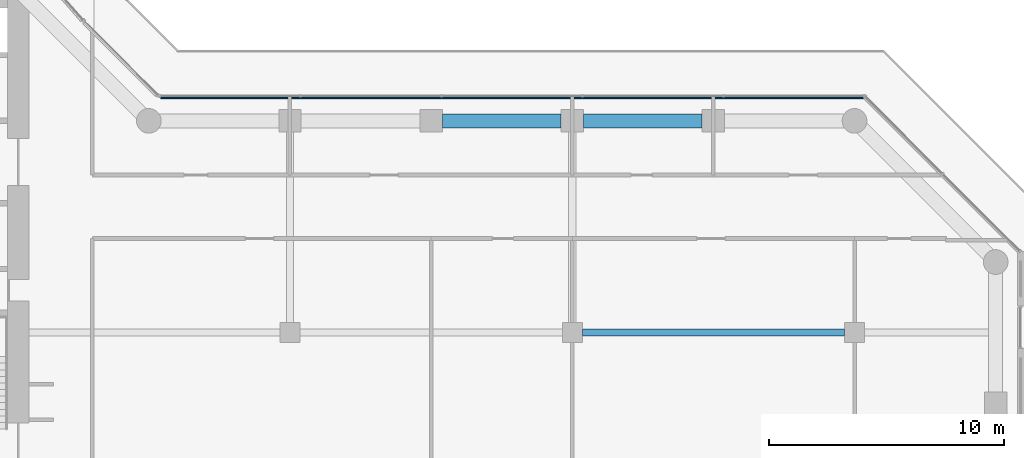
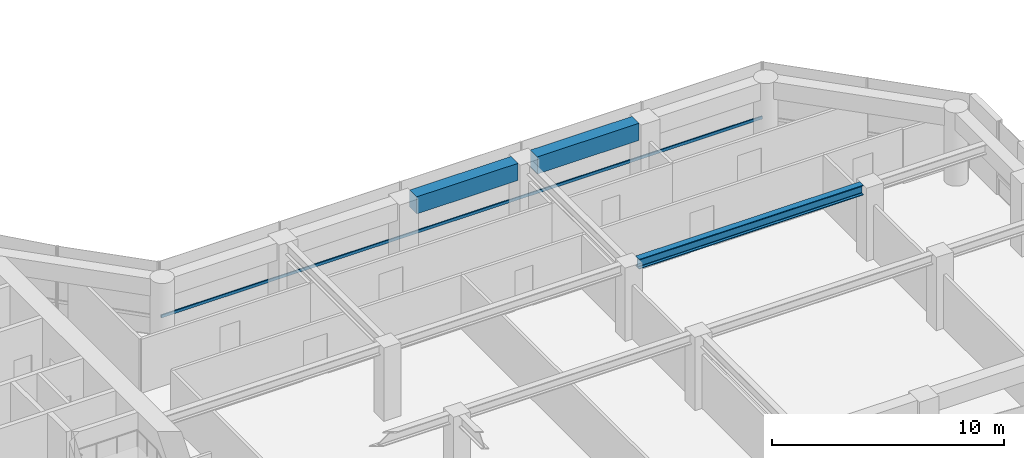
# One storey, part 10 of 27: 3 beams, 1 member, 1 element without a shape of its own.
"""IFC4 building model written with IfcOpenShell, lengths in metres."""

from ifc_helpers import new_model, si_unit, direction, frame, origin, origin_2d, place, context, subcontext, project, spatial, rectangle, i_section, extrude, material, layer, layer_set, material_profile, profile_set, type_object, element, aggregate, save


model = new_model("IFC4")

# Units and contexts
model_context = context("Model", 3, precision=1e-05, world=origin(), true_north=direction((0.0, 1.0)))
body_context = subcontext(model_context, "Body", "Model", "MODEL_VIEW")
ifc_project = project(units=[si_unit("LENGTHUNIT", "METRE"), si_unit("AREAUNIT", "SQUARE_METRE"), si_unit("VOLUMEUNIT", "CUBIC_METRE"), si_unit("PLANEANGLEUNIT", "RADIAN"), si_unit("MASSUNIT", "GRAM", prefix="KILO")], contexts=[model_context])

# Site, building, storey
site_placement = place(None, origin())
site = spatial("IfcSite", under=ifc_project, at=site_placement, CompositionType="ELEMENT")
building_placement = place(site_placement, origin())
building = spatial("IfcBuilding", under=site, at=building_placement, Name="Welwitschia Terrace Campus", CompositionType="ELEMENT")
storey_placement = place(building_placement, frame((0.0, 0.0, 37.39990234375)))
storey = spatial("IfcBuildingStorey", under=building, at=storey_placement, Name="L08", CompositionType="ELEMENT", Elevation=37.39990234375)

# Beams
ifc_material_1 = material(Name="Steel S355", Category="steel")
ifc_material_profile_1 = material_profile(ifc_material_1, i_section(OverallWidth=0.305908203125, OverallDepth=0.52392578125, WebThickness=0.02099609375, FlangeThickness=0.0400390625, FilletRadius=0.027099609375, at=origin_2d()))
ifc_profile_set_1 = profile_set([ifc_material_profile_1], Name="Steel S355")
beam_type_1 = type_object("IfcBeamType", Name="Interior girder HE 500 M", PredefinedType="BEAM", material=ifc_profile_set_1)
beam_placement = place(storey_placement, frame((48.425537109375, 11.0, 3.588134765625), z_axis=(1.0, 0.0, 0.0), x_axis=(0.0, 1.0, 0.0)))
element("IfcBeam", 1, at=beam_placement, inside=storey, type_object=beam_type_1, Name="Girder GB2", PredefinedType="BEAM", context=body_context, shape_type="SweptSolid", body=[
    extrude(i_section(OverallWidth=0.305908203125, OverallDepth=0.52392578125, WebThickness=0.02099609375, FlangeThickness=0.0400390625, FilletRadius=0.027099609375, at=origin_2d()), origin(), (0.0, 0.0, 1.0), 11.14892578125),
])
ifc_material_2 = material(Name="Concrete C60/75", Category="concrete")
ifc_material_profile_2 = material_profile(ifc_material_2, rectangle(XDim=0.60009765625, YDim=0.89990234375, at=origin_2d()))
ifc_profile_set_2 = profile_set([ifc_material_profile_2], Name="Concrete C60/75")
beam_type_2 = type_object("IfcBeamType", Name="Ring spandrel 600x900", PredefinedType="SPANDREL", material=ifc_profile_set_2)
for number, where, z_axis, x_axis, name in (
    (2, (53.5244140625, 20.0, 3.400146484375), (-1.0, 0.0, 0.0), (0.0, -1.0, 0.0), "Spandrel SP2"),
    (3, (47.5244140625, 20.0, 3.400146484375), (-1.0, 0.0, 0.0), (0.0, -1.0, 0.0), "Spandrel SP2"),
):
    element("IfcBeam", number, at=place(storey_placement, frame(where, z_axis=z_axis, x_axis=x_axis)), inside=storey, type_object=beam_type_2, Name=name, PredefinedType="SPANDREL", context=body_context, shape_type="SweptSolid", body=[
        extrude(rectangle(XDim=0.60009765625, YDim=0.89990234375, at=origin_2d()), origin(), (0.0, 0.0, 1.0), 5.048828125),
    ])

# Curtain wall, member
ifc_material_3 = material(Name="Bronze anodised aluminium", Category="aluminium")
ifc_layer = layer(ifc_material_3, 0.1201171875)
ifc_layer_set = layer_set([ifc_layer], Name="Bronze anodised aluminium")
curtain_wall_type = type_object("IfcCurtainWallType", Name="Curtain wall CW2 tower 6000", PredefinedType="NOTDEFINED", material=ifc_layer_set)
curtain_wall_placement = place(storey_placement, origin())
curtain_wall = element("IfcCurtainWall", 4, at=curtain_wall_placement, inside=storey, type_object=curtain_wall_type, Name="CW L08.8.0", PredefinedType="NOTDEFINED")
ifc_material_4 = material(Name="Bronze anodised aluminium", Category="aluminium")
ifc_material_profile_3 = material_profile(ifc_material_4, rectangle(XDim=0.06005859375, YDim=0.14990234375, at=origin_2d()))
ifc_profile_set_3 = profile_set([ifc_material_profile_3], Name="Bronze anodised aluminium")
member_type = type_object("IfcMemberType", Name="Transom 60x150", PredefinedType="USERDEFINED", material=ifc_profile_set_3)
member_placement = place(storey_placement, frame((60.378173828125, 20.968017578125, 1.0), z_axis=(-1.0, 0.0, 0.0), x_axis=(0.0, -1.0, 0.0)))
member = element("IfcMember", 5, at=member_placement, type_object=member_type, Name="Transom L08.8.0", ObjectType="TRANSOM", PredefinedType="USERDEFINED", context=body_context, shape_type="SweptSolid", body=[
    extrude(rectangle(XDim=0.06005859375, YDim=0.14990234375, at=origin_2d()), origin(), (0.0, 0.0, 1.0), 29.8798828125),
])
aggregate(curtain_wall, [member])

save(model, "model.ifc")
